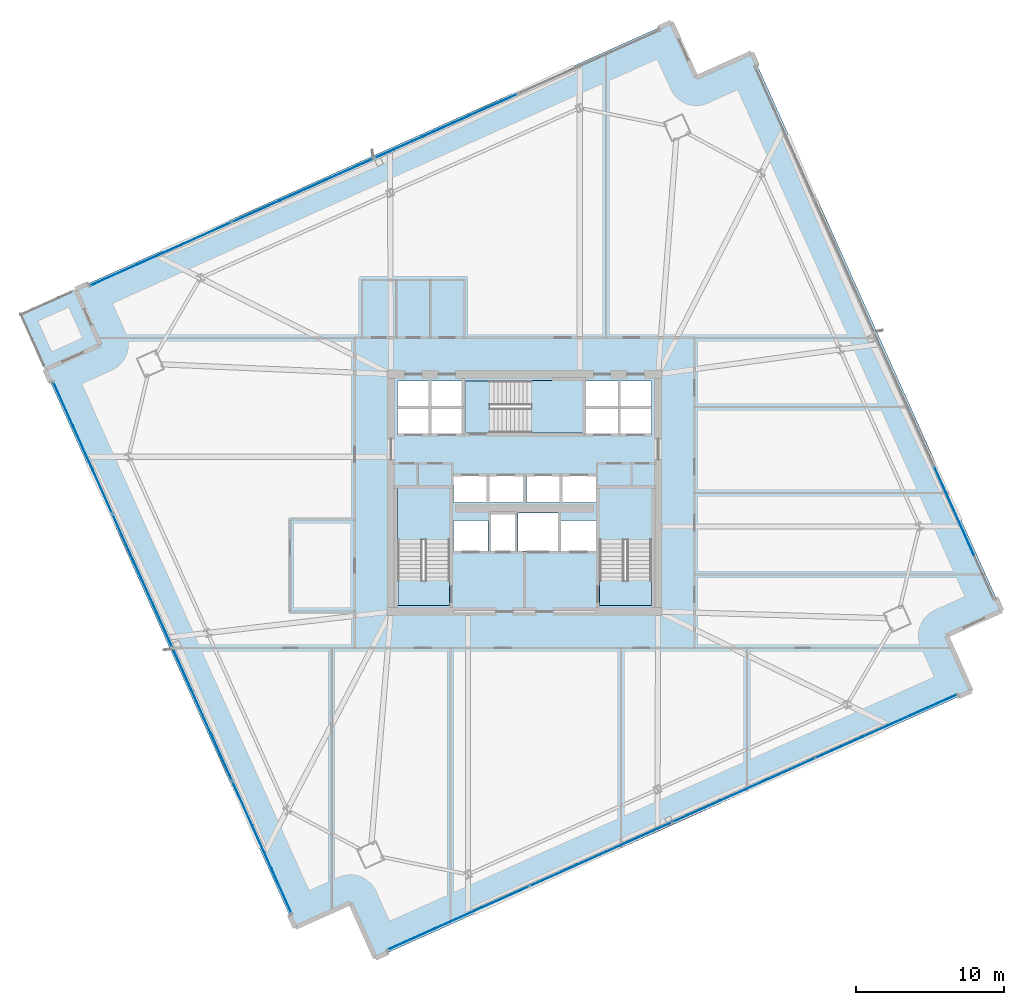
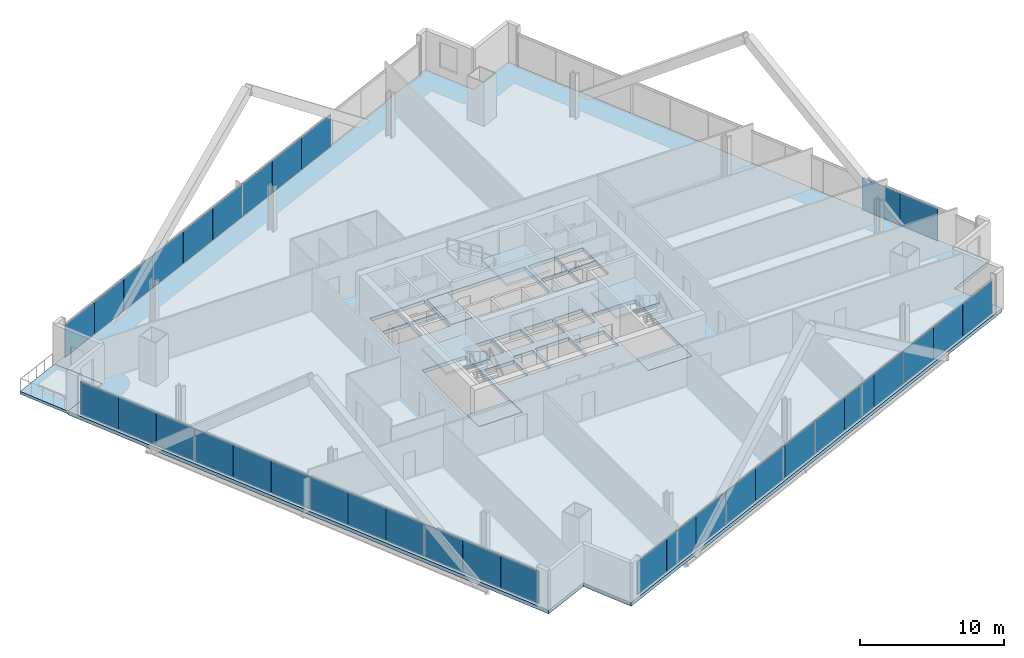
# One storey, part 27 of 38: 35 plates, 8 slabs, 7 elements without a shape of their own.
"""IFC4 building model written with IfcOpenShell, lengths in metres."""

from ifc_helpers import new_model, si_unit, direction, frame, origin, origin_2d, place, context, subcontext, project, spatial, polyline, rectangle, outline, extrude, source, transform, mapped, material, layer, layer_set, type_object, element, aggregate, save


model = new_model("IFC4")

# Units and contexts
model_context = context("Model", 3, precision=1e-05, world=origin(), true_north=direction((0.0, 1.0)))
body_context = subcontext(model_context, "Body", "Model", "MODEL_VIEW")
ifc_project = project(units=[si_unit("LENGTHUNIT", "METRE"), si_unit("AREAUNIT", "SQUARE_METRE"), si_unit("VOLUMEUNIT", "CUBIC_METRE"), si_unit("PLANEANGLEUNIT", "RADIAN"), si_unit("MASSUNIT", "GRAM", prefix="KILO")], contexts=[model_context])

# Site, building, storey
site_placement = place(None, origin())
site = spatial("IfcSite", under=ifc_project, at=site_placement, CompositionType="ELEMENT")
building_placement = place(site_placement, origin())
building = spatial("IfcBuilding", under=site, at=building_placement, Name="Haldenkirk Collegiate Tower", CompositionType="ELEMENT")
storey_placement = place(building_placement, frame((0.0, 0.0, 109.199951171875)))
storey = spatial("IfcBuildingStorey", under=building, at=storey_placement, Name="L26", CompositionType="ELEMENT", Elevation=109.199951171875)

# Slab
ifc_material_1 = material(Name="Concrete f'c 40 MPa", Category="concrete")
ifc_layer_1 = layer(ifc_material_1, 0.300048828125)
ifc_layer_set_1 = layer_set([ifc_layer_1], Name="Concrete f'c 40 MPa")
slab_type_1 = type_object("IfcSlabType", Name="SLB-FLR-300", PredefinedType="FLOOR", material=ifc_layer_set_1)
slab_1_placement = place(storey_placement, frame((0.0, 0.0, -0.300048828125)))
element("IfcSlab", 1, at=slab_1_placement, inside=storey, type_object=slab_type_1, Name="L26 composite structural floor slab", PredefinedType="FLOOR", context=body_context, shape_type="SweptSolid", body=[
    extrude(outline(polyline([(25.94921875, -5.3564453125), (66.09814453125, 12.64501953125), (64.420654296875, 16.38623046875), (68.161865234375, 18.063720703125), (51.305908203125, 55.65771484375), (47.564697265625, 53.980224609375), (45.88720703125, 57.721435546875), (5.73828125, 39.719970703125), (7.415771484375, 35.978759765625), (3.674560546875, 34.30126953125), (20.530517578125, -3.292724609375), (24.271728515625, -1.615234375), (25.94921875, -5.3564453125)]), holes=[polyline([(27.449951171875, 18.39990234375), (30.949951171875, 18.39990234375), (30.949951171875, 26.300048828125), (27.449951171875, 26.300048828125), (27.449951171875, 18.39990234375)]), polyline([(41.050048828125, 18.39990234375), (44.550048828125, 18.39990234375), (44.550048828125, 26.300048828125), (41.050048828125, 26.300048828125), (41.050048828125, 18.39990234375)]), polyline([(32.0, 30.050048828125), (39.89990234375, 30.050048828125), (39.89990234375, 33.550048828125), (32.0, 33.550048828125), (32.0, 30.050048828125)]), polyline([(33.75, 22.10009765625), (35.35009765625, 22.10009765625), (35.35009765625, 24.550048828125), (33.75, 24.550048828125), (33.75, 22.10009765625)]), polyline([(27.449951171875, 29.949951171875), (29.580078125, 29.949951171875), (29.580078125, 31.699951171875), (27.449951171875, 31.699951171875), (27.449951171875, 29.949951171875)]), polyline([(29.679931640625, 29.949951171875), (31.85009765625, 29.949951171875), (31.85009765625, 31.699951171875), (29.679931640625, 31.699951171875), (29.679931640625, 29.949951171875)]), polyline([(27.449951171875, 31.800048828125), (29.580078125, 31.800048828125), (29.580078125, 33.550048828125), (27.449951171875, 33.550048828125), (27.449951171875, 31.800048828125)]), polyline([(29.679931640625, 31.800048828125), (31.85009765625, 31.800048828125), (31.85009765625, 33.550048828125), (29.679931640625, 33.550048828125), (29.679931640625, 31.800048828125)]), polyline([(40.14990234375, 29.949951171875), (42.320068359375, 29.949951171875), (42.320068359375, 31.699951171875), (40.14990234375, 31.699951171875), (40.14990234375, 29.949951171875)]), polyline([(42.419921875, 29.949951171875), (44.550048828125, 29.949951171875), (44.550048828125, 31.699951171875), (42.419921875, 31.699951171875), (42.419921875, 29.949951171875)]), polyline([(40.14990234375, 31.800048828125), (42.320068359375, 31.800048828125), (42.320068359375, 33.550048828125), (40.14990234375, 33.550048828125), (40.14990234375, 31.800048828125)]), polyline([(42.419921875, 31.800048828125), (44.550048828125, 31.800048828125), (44.550048828125, 33.550048828125), (42.419921875, 33.550048828125), (42.419921875, 31.800048828125)]), polyline([(31.199951171875, 25.35009765625), (33.47998046875, 25.35009765625), (33.47998046875, 27.14990234375), (31.199951171875, 27.14990234375), (31.199951171875, 25.35009765625)]), polyline([(33.60009765625, 25.35009765625), (35.8798828125, 25.35009765625), (35.8798828125, 27.14990234375), (33.60009765625, 27.14990234375), (33.60009765625, 25.35009765625)]), polyline([(36.1201171875, 25.35009765625), (38.39990234375, 25.35009765625), (38.39990234375, 27.14990234375), (36.1201171875, 27.14990234375), (36.1201171875, 25.35009765625)]), polyline([(38.52001953125, 25.35009765625), (40.800048828125, 25.35009765625), (40.800048828125, 27.14990234375), (38.52001953125, 27.14990234375), (38.52001953125, 25.35009765625)]), polyline([(31.199951171875, 22.10009765625), (33.550048828125, 22.10009765625), (33.550048828125, 24.14990234375), (31.199951171875, 24.14990234375), (31.199951171875, 22.10009765625)]), polyline([(38.449951171875, 22.10009765625), (40.800048828125, 22.10009765625), (40.800048828125, 24.14990234375), (38.449951171875, 24.14990234375), (38.449951171875, 22.10009765625)]), polyline([(35.550048828125, 22.10009765625), (38.25, 22.10009765625), (38.25, 24.64990234375), (35.550048828125, 24.64990234375), (35.550048828125, 22.10009765625)])]), origin(), (0.0, 0.0, 1.0), 0.300048828125),
])

# Stair, slab
stair_type = type_object("IfcStairType", Name="STR-DOGLEG-1650", PredefinedType="HALF_TURN_STAIR", material=ifc_material_1)
stair_1_placement = place(storey_placement, origin())
stair_1 = element("IfcStair", 2, at=stair_1_placement, inside=storey, type_object=stair_type, Name="L26 Core Exit Stair ST-1", PredefinedType="HALF_TURN_STAIR")
ifc_layer_2 = layer(ifc_material_1, 0.199951171875)
ifc_layer_set_2 = layer_set([ifc_layer_2], Name="Concrete f'c 40 MPa")
slab_type_2 = type_object("IfcSlabType", Name="SLB-LANDING-200", PredefinedType="LANDING", material=ifc_layer_set_2)
slab_2_placement = place(storey_placement, frame((0.0, 0.0, 1.675048828125)))
slab_2 = element("IfcSlab", 3, at=slab_2_placement, type_object=slab_type_2, Name="ST-1 landing 1", PredefinedType="LANDING", context=body_context, shape_type="SweptSolid", body=[
    extrude(outline(polyline([(30.97509765625, 22.824951171875), (27.425048828125, 22.824951171875), (27.425048828125, 26.324951171875), (30.97509765625, 26.324951171875), (30.97509765625, 22.824951171875)])), origin(), (0.0, 0.0, 1.0), 0.199951171875),
])
aggregate(stair_1, [slab_2])

stair_2_placement = place(storey_placement, origin())
stair_2 = element("IfcStair", 4, at=stair_2_placement, inside=storey, type_object=stair_type, Name="L26 Core Exit Stair ST-2", PredefinedType="HALF_TURN_STAIR")
slab_3_placement = place(storey_placement, frame((0.0, 0.0, 1.675048828125)))
slab_3 = element("IfcSlab", 5, at=slab_3_placement, type_object=slab_type_2, Name="ST-2 landing 1", PredefinedType="LANDING", context=body_context, shape_type="SweptSolid", body=[
    extrude(outline(polyline([(44.574951171875, 22.824951171875), (41.02490234375, 22.824951171875), (41.02490234375, 26.324951171875), (44.574951171875, 26.324951171875), (44.574951171875, 22.824951171875)])), origin(), (0.0, 0.0, 1.0), 0.199951171875),
])
aggregate(stair_2, [slab_3])

stair_3_placement = place(storey_placement, origin())
stair_3 = element("IfcStair", 6, at=stair_3_placement, inside=storey, type_object=stair_type, Name="L26 Core Exit Stair ST-3", PredefinedType="HALF_TURN_STAIR")
slab_4_placement = place(storey_placement, frame((0.0, 0.0, 1.675048828125)))
slab_4 = element("IfcSlab", 7, at=slab_4_placement, type_object=slab_type_2, Name="ST-3 landing 1", PredefinedType="LANDING", context=body_context, shape_type="SweptSolid", body=[
    extrude(outline(polyline([(36.425048828125, 30.02490234375), (36.425048828125, 33.574951171875), (39.925048828125, 33.574951171875), (39.925048828125, 30.02490234375), (36.425048828125, 30.02490234375)])), origin(), (0.0, 0.0, 1.0), 0.199951171875),
])
aggregate(stair_3, [slab_4])

# Slabs
ifc_layer_3 = layer(ifc_material_1, 0.25)
ifc_layer_set_3 = layer_set([ifc_layer_3], Name="Concrete f'c 40 MPa")
slab_type_3 = type_object("IfcSlabType", Name="SLB-STAIRLAND-250", PredefinedType="LANDING", material=ifc_layer_set_3)
slab_5_placement = place(storey_placement, frame((0.0, 0.0, -0.25)))
element("IfcSlab", 8, at=slab_5_placement, inside=storey, type_object=slab_type_3, Name="L26 stair ST1 structural floor landing slab", PredefinedType="LANDING", context=body_context, shape_type="SweptSolid", body=[
    extrude(outline(polyline([(27.4599609375, 18.409912109375), (30.93994140625, 18.409912109375), (30.93994140625, 20.080078125), (27.4599609375, 20.080078125), (27.4599609375, 18.409912109375)])), origin(), (0.0, 0.0, 1.0), 0.25),
])
slab_6_placement = place(storey_placement, frame((0.0, 0.0, -0.25)))
element("IfcSlab", 9, at=slab_6_placement, inside=storey, type_object=slab_type_3, Name="L26 stair ST2 structural floor landing slab", PredefinedType="LANDING", context=body_context, shape_type="SweptSolid", body=[
    extrude(outline(polyline([(41.06005859375, 18.409912109375), (44.5400390625, 18.409912109375), (44.5400390625, 20.080078125), (41.06005859375, 20.080078125), (41.06005859375, 18.409912109375)])), origin(), (0.0, 0.0, 1.0), 0.25),
])
slab_7_placement = place(storey_placement, frame((0.0, 0.0, -0.25)))
element("IfcSlab", 10, at=slab_7_placement, inside=storey, type_object=slab_type_3, Name="L26 stair ST3 structural floor landing slab", PredefinedType="LANDING", context=body_context, shape_type="SweptSolid", body=[
    extrude(outline(polyline([(32.010009765625, 30.06005859375), (33.679931640625, 30.06005859375), (33.679931640625, 33.5400390625), (32.010009765625, 33.5400390625), (32.010009765625, 30.06005859375)])), origin(), (0.0, 0.0, 1.0), 0.25),
])
ifc_layer_4 = layer(ifc_material_1, 0.22998046875)
ifc_layer_set_4 = layer_set([ifc_layer_4], Name="Concrete f'c 40 MPa")
slab_type_4 = type_object("IfcSlabType", Name="SLB-TERR-SPIRAL-230", PredefinedType="FLOOR", material=ifc_layer_set_4)
slab_8_placement = place(storey_placement, frame((0.0, 0.0, -0.22998046875)))
element("IfcSlab", 11, at=slab_8_placement, inside=storey, type_object=slab_type_4, Name="L26 spiralling corner terrace slab", PredefinedType="FLOOR", context=body_context, shape_type="SweptSolid", body=[
    extrude(outline(polyline([(3.674560546875, 34.30126953125), (7.415771484375, 35.978759765625), (5.73828125, 39.719970703125), (1.9970703125, 38.04248046875), (3.674560546875, 34.30126953125)])), origin(), (0.0, 0.0, 1.0), 0.22998046875),
])

# Curtain wall, plates
ifc_material_2 = material(Name="Anodised architectural bronze aluminium", Category="aluminium")
curtain_wall_type_1 = type_object("IfcCurtainWallType", Name="CW-SYS2-CONCAVE", PredefinedType="USERDEFINED", material=ifc_material_2)
curtain_wall_1_placement = place(storey_placement, origin())
curtain_wall_1 = element("IfcCurtainWall", 12, at=curtain_wall_1_placement, inside=storey, type_object=curtain_wall_type_1, Name="L26 South concave recessed bronze-anodised curtain wall", ObjectType="UNITISED CURTAIN WALL", PredefinedType="USERDEFINED")
ifc_material_3 = material(Name="Bronze-anodised insulated aluminium spandrel panel", Category="aluminium")
ifc_layer_5 = layer(ifc_material_3, 0.0419921875)
ifc_layer_set_5 = layer_set([ifc_layer_5], Name="Bronze-anodised insulated aluminium spandrel panel")
plate_type_1 = type_object("IfcPlateType", Name="CW-SPD-02", PredefinedType="CURTAIN_PANEL", material=ifc_layer_set_5)
shared_shape_1 = source(origin(), body_context, "Body", "SweptSolid", [
    extrude(rectangle(XDim=3.479248046875, YDim=0.0419921875, at=origin_2d()), origin(), (0.0, 0.0, 1.0), 2.7509765625),
])
plate_1_placement = place(storey_placement, frame((53.955078125, 7.397705078125, 0.074951171875), z_axis=(0.0, 0.0, 1.0), x_axis=(-0.912477296053, -0.409127344707, 0.0)))
plate_1 = element("IfcPlate", 13, at=plate_1_placement, type_object=plate_type_1, Name="CW-02 spandrel panel 2.1a", PredefinedType="CURTAIN_PANEL", context=body_context, shape_type="MappedRepresentation", body=[
    mapped(shared_shape_1, transform((0.0, 0.0, 0.0), x_axis=(1.0, 0.0, 0.0), y_axis=(0.0, 1.0, 0.0), z_axis=(0.0, 0.0, 1.0), scale=1.0)),
])
ifc_material_4 = material(Name="Low-E argon triple insulating glass", Category="glass")
ifc_layer_6 = layer(ifc_material_4, 0.0419921875)
ifc_layer_set_6 = layer_set([ifc_layer_6], Name="Low-E argon triple insulating glass")
plate_type_2 = type_object("IfcPlateType", Name="CW-PNL-02", PredefinedType="CURTAIN_PANEL", material=ifc_layer_set_6)
plate_2_placement = place(storey_placement, frame((47.571533203125, 4.53564453125, 0.074951171875), z_axis=(0.0, 0.0, 1.0), x_axis=(-0.912477296053, -0.409127344707, 0.0)))
plate_2 = element("IfcPlate", 14, at=plate_2_placement, type_object=plate_type_2, Name="CW-02 panel 2.1c", PredefinedType="CURTAIN_PANEL", context=body_context, shape_type="MappedRepresentation", body=[
    mapped(shared_shape_1, transform((0.0, 0.0, 0.0), x_axis=(1.0, 0.0, 0.0), y_axis=(0.0, 1.0, 0.0), z_axis=(0.0, 0.0, 1.0), scale=1.0)),
])
plate_3_placement = place(storey_placement, frame((44.328369140625, 3.081298828125, 0.074951171875), z_axis=(0.0, 0.0, 1.0), x_axis=(-0.912477296053, -0.409127344707, 0.0)))
plate_3 = element("IfcPlate", 15, at=plate_3_placement, type_object=plate_type_2, Name="CW-02 panel 3.1a", PredefinedType="CURTAIN_PANEL", context=body_context, shape_type="MappedRepresentation", body=[
    mapped(shared_shape_1, transform((0.0, 0.0, 0.0), x_axis=(1.0, 0.0, 0.0), y_axis=(0.0, 1.0, 0.0), z_axis=(0.0, 0.0, 1.0), scale=1.0)),
])
plate_4_placement = place(storey_placement, frame((37.94482421875, 0.21923828125, 0.074951171875), z_axis=(0.0, 0.0, 1.0), x_axis=(-0.912477296053, -0.409127344707, 0.0)))
plate_4 = element("IfcPlate", 16, at=plate_4_placement, type_object=plate_type_1, Name="CW-02 spandrel panel 3.1c", PredefinedType="CURTAIN_PANEL", context=body_context, shape_type="MappedRepresentation", body=[
    mapped(shared_shape_1, transform((0.0, 0.0, 0.0), x_axis=(1.0, 0.0, 0.0), y_axis=(0.0, 1.0, 0.0), z_axis=(0.0, 0.0, 1.0), scale=1.0)),
])
shared_shape_2 = source(origin(), body_context, "Body", "SweptSolid", [
    extrude(rectangle(XDim=3.466796875, YDim=0.0419921875, at=origin_2d()), origin(), (0.0, 0.0, 1.0), 2.7509765625),
])
plate_5_placement = place(storey_placement, frame((63.55322265625, 11.701416015625, 0.074951171875), z_axis=(0.0, 0.0, 1.0), x_axis=(-0.912477296053, -0.409127344707, 0.0)))
plate_5 = element("IfcPlate", 17, at=plate_5_placement, type_object=plate_type_2, Name="CW-02 panel 1.1a", PredefinedType="CURTAIN_PANEL", context=body_context, shape_type="MappedRepresentation", body=[
    mapped(shared_shape_2, transform((0.0, 0.0, 0.0), x_axis=(1.0, 0.0, 0.0), y_axis=(0.0, 1.0, 0.0), z_axis=(0.0, 0.0, 1.0), scale=1.0)),
])
plate_6_placement = place(storey_placement, frame((57.1923828125, 8.849365234375, 0.074951171875), z_axis=(0.0, 0.0, 1.0), x_axis=(-0.912477296053, -0.409127344707, 0.0)))
plate_6 = element("IfcPlate", 18, at=plate_6_placement, type_object=plate_type_1, Name="CW-02 spandrel panel 1.1c", PredefinedType="CURTAIN_PANEL", context=body_context, shape_type="MappedRepresentation", body=[
    mapped(shared_shape_2, transform((0.0, 0.0, 0.0), x_axis=(1.0, 0.0, 0.0), y_axis=(0.0, 1.0, 0.0), z_axis=(0.0, 0.0, 1.0), scale=1.0)),
])
plate_7_placement = place(storey_placement, frame((50.76318359375, 5.966796875, 0.074951171875), z_axis=(0.0, 0.0, 1.0), x_axis=(-0.912477296053, -0.409127344707, 0.0)))
plate_7 = element("IfcPlate", 19, at=plate_7_placement, type_object=plate_type_2, Name="CW-02 panel 2.1b", PredefinedType="CURTAIN_PANEL", context=body_context, shape_type="MappedRepresentation", body=[
    mapped(shared_shape_2, transform((0.0, 0.0, 0.0), x_axis=(1.0, 0.0, 0.0), y_axis=(0.0, 1.0, 0.0), z_axis=(0.0, 0.0, 1.0), scale=1.0)),
])
plate_8_placement = place(storey_placement, frame((41.13671875, 1.650390625, 0.074951171875), z_axis=(0.0, 0.0, 1.0), x_axis=(-0.912477296053, -0.409127344707, 0.0)))
plate_8 = element("IfcPlate", 20, at=plate_8_placement, type_object=plate_type_2, Name="CW-02 panel 3.1b", PredefinedType="CURTAIN_PANEL", context=body_context, shape_type="MappedRepresentation", body=[
    mapped(shared_shape_2, transform((0.0, 0.0, 0.0), x_axis=(1.0, 0.0, 0.0), y_axis=(0.0, 1.0, 0.0), z_axis=(0.0, 0.0, 1.0), scale=1.0)),
])
plate_9_placement = place(storey_placement, frame((34.70751953125, -1.232421875, 0.074951171875), z_axis=(0.0, 0.0, 1.0), x_axis=(-0.912477296053, -0.409127344707, 0.0)))
plate_9 = element("IfcPlate", 21, at=plate_9_placement, type_object=plate_type_1, Name="CW-02 spandrel panel 4.1a", PredefinedType="CURTAIN_PANEL", context=body_context, shape_type="MappedRepresentation", body=[
    mapped(shared_shape_2, transform((0.0, 0.0, 0.0), x_axis=(1.0, 0.0, 0.0), y_axis=(0.0, 1.0, 0.0), z_axis=(0.0, 0.0, 1.0), scale=1.0)),
])
plate_10_placement = place(storey_placement, frame((28.3466796875, -4.084228515625, 0.074951171875), z_axis=(0.0, 0.0, 1.0), x_axis=(-0.912477296053, -0.409127344707, 0.0)))
plate_10 = element("IfcPlate", 22, at=plate_10_placement, type_object=plate_type_2, Name="CW-02 panel 4.1c", PredefinedType="CURTAIN_PANEL", context=body_context, shape_type="MappedRepresentation", body=[
    mapped(shared_shape_2, transform((0.0, 0.0, 0.0), x_axis=(1.0, 0.0, 0.0), y_axis=(0.0, 1.0, 0.0), z_axis=(0.0, 0.0, 1.0), scale=1.0)),
])

curtain_wall_type_2 = type_object("IfcCurtainWallType", Name="CW-SYS1-CONVEX-LOW", PredefinedType="USERDEFINED", material=ifc_material_2)
curtain_wall_2_placement = place(storey_placement, origin())
curtain_wall_2 = element("IfcCurtainWall", 23, at=curtain_wall_2_placement, inside=storey, type_object=curtain_wall_type_2, Name="L26 Lower tower convex bronze-framed unitised curtain wall", ObjectType="UNITISED CURTAIN WALL", PredefinedType="USERDEFINED")
ifc_layer_7 = layer(ifc_material_3, 0.0439453125)
ifc_layer_set_7 = layer_set([ifc_layer_7], Name="Bronze-anodised insulated aluminium spandrel panel")
plate_type_3 = type_object("IfcPlateType", Name="CW-SPD-1A", PredefinedType="CURTAIN_PANEL", material=ifc_layer_set_7)
shared_shape_3 = source(origin(), body_context, "Body", "SweptSolid", [
    extrude(rectangle(XDim=3.244140625, YDim=0.0439453125, at=origin_2d()), origin(), (0.0, 0.0, 1.0), 2.740966796875),
])
plate_11_placement = place(storey_placement, frame((15.61669921875, 8.1064453125, 0.080078125), z_axis=(0.0, 0.0, 1.0), x_axis=(-0.409126081669, 0.912477862361, 0.0)))
plate_11 = element("IfcPlate", 24, at=plate_11_placement, type_object=plate_type_3, Name="CW-1A spandrel panel 2.1a", PredefinedType="CURTAIN_PANEL", context=body_context, shape_type="MappedRepresentation", body=[
    mapped(shared_shape_3, transform((0.0, 0.0, 0.0), x_axis=(1.0, 0.0, 0.0), y_axis=(0.0, 1.0, 0.0), z_axis=(0.0, 0.0, 1.0), scale=1.0)),
])
ifc_layer_8 = layer(ifc_material_4, 0.0439453125)
ifc_layer_set_8 = layer_set([ifc_layer_8], Name="Low-E argon triple insulating glass")
plate_type_4 = type_object("IfcPlateType", Name="CW-PNL-1A", PredefinedType="CURTAIN_PANEL", material=ifc_layer_set_8)
plate_12_placement = place(storey_placement, frame((12.94677734375, 14.061279296875, 0.080078125), z_axis=(0.0, 0.0, 1.0), x_axis=(-0.409126081669, 0.912477862361, 0.0)))
plate_12 = element("IfcPlate", 25, at=plate_12_placement, type_object=plate_type_4, Name="CW-1A panel 2.1c", PredefinedType="CURTAIN_PANEL", context=body_context, shape_type="MappedRepresentation", body=[
    mapped(shared_shape_3, transform((0.0, 0.0, 0.0), x_axis=(1.0, 0.0, 0.0), y_axis=(0.0, 1.0, 0.0), z_axis=(0.0, 0.0, 1.0), scale=1.0)),
])
plate_13_placement = place(storey_placement, frame((11.586669921875, 17.094482421875, 0.080078125), z_axis=(0.0, 0.0, 1.0), x_axis=(-0.409126081669, 0.912477862361, 0.0)))
plate_13 = element("IfcPlate", 26, at=plate_13_placement, type_object=plate_type_4, Name="CW-1A panel 3.1a", PredefinedType="CURTAIN_PANEL", context=body_context, shape_type="MappedRepresentation", body=[
    mapped(shared_shape_3, transform((0.0, 0.0, 0.0), x_axis=(1.0, 0.0, 0.0), y_axis=(0.0, 1.0, 0.0), z_axis=(0.0, 0.0, 1.0), scale=1.0)),
])
plate_14_placement = place(storey_placement, frame((8.916748046875, 23.04931640625, 0.080078125), z_axis=(0.0, 0.0, 1.0), x_axis=(-0.409126081669, 0.912477862361, 0.0)))
plate_14 = element("IfcPlate", 27, at=plate_14_placement, type_object=plate_type_3, Name="CW-1A spandrel panel 3.1c", PredefinedType="CURTAIN_PANEL", context=body_context, shape_type="MappedRepresentation", body=[
    mapped(shared_shape_3, transform((0.0, 0.0, 0.0), x_axis=(1.0, 0.0, 0.0), y_axis=(0.0, 1.0, 0.0), z_axis=(0.0, 0.0, 1.0), scale=1.0)),
])
shared_shape_4 = source(origin(), body_context, "Body", "SweptSolid", [
    extrude(rectangle(XDim=3.231689453125, YDim=0.0439453125, at=origin_2d()), origin(), (0.0, 0.0, 1.0), 2.740966796875),
])
plate_15_placement = place(storey_placement, frame((14.281494140625, 11.083984375, 0.080078125), z_axis=(0.0, 0.0, 1.0), x_axis=(-0.409126081669, 0.912477862361, 0.0)))
plate_15 = element("IfcPlate", 28, at=plate_15_placement, type_object=plate_type_4, Name="CW-1A panel 2.1b", PredefinedType="CURTAIN_PANEL", context=body_context, shape_type="MappedRepresentation", body=[
    mapped(shared_shape_4, transform((0.0, 0.0, 0.0), x_axis=(1.0, 0.0, 0.0), y_axis=(0.0, 1.0, 0.0), z_axis=(0.0, 0.0, 1.0), scale=1.0)),
])
plate_16_placement = place(storey_placement, frame((10.251708984375, 20.07177734375, 0.080078125), z_axis=(0.0, 0.0, 1.0), x_axis=(-0.409126081669, 0.912477862361, 0.0)))
plate_16 = element("IfcPlate", 29, at=plate_16_placement, type_object=plate_type_4, Name="CW-1A panel 3.1b", PredefinedType="CURTAIN_PANEL", context=body_context, shape_type="MappedRepresentation", body=[
    mapped(shared_shape_4, transform((0.0, 0.0, 0.0), x_axis=(1.0, 0.0, 0.0), y_axis=(0.0, 1.0, 0.0), z_axis=(0.0, 0.0, 1.0), scale=1.0)),
])

curtain_wall_3_placement = place(storey_placement, origin())
curtain_wall_3 = element("IfcCurtainWall", 30, at=curtain_wall_3_placement, inside=storey, type_object=curtain_wall_type_2, Name="L26 Lower tower convex bronze-framed unitised curtain wall", ObjectType="UNITISED CURTAIN WALL", PredefinedType="USERDEFINED")
shared_shape_5 = source(origin(), body_context, "Body", "SweptSolid", [
    extrude(rectangle(XDim=3.4775390625, YDim=0.0439453125, at=origin_2d()), origin(), (0.0, 0.0, 1.0), 2.740966796875),
])
plate_17_placement = place(storey_placement, frame((17.8828125, 44.968017578125, 0.080078125), z_axis=(0.0, 0.0, 1.0), x_axis=(0.912477296053, 0.409127344707, 0.0)))
plate_17 = element("IfcPlate", 31, at=plate_17_placement, type_object=plate_type_3, Name="CW-1A spandrel panel 2.1a", PredefinedType="CURTAIN_PANEL", context=body_context, shape_type="MappedRepresentation", body=[
    mapped(shared_shape_5, transform((0.0, 0.0, 0.0), x_axis=(1.0, 0.0, 0.0), y_axis=(0.0, 1.0, 0.0), z_axis=(0.0, 0.0, 1.0), scale=1.0)),
])
plate_18_placement = place(storey_placement, frame((24.26318359375, 47.828857421875, 0.080078125), z_axis=(0.0, 0.0, 1.0), x_axis=(0.912477296053, 0.409127344707, 0.0)))
plate_18 = element("IfcPlate", 32, at=plate_18_placement, type_object=plate_type_4, Name="CW-1A panel 2.1c", PredefinedType="CURTAIN_PANEL", context=body_context, shape_type="MappedRepresentation", body=[
    mapped(shared_shape_5, transform((0.0, 0.0, 0.0), x_axis=(1.0, 0.0, 0.0), y_axis=(0.0, 1.0, 0.0), z_axis=(0.0, 0.0, 1.0), scale=1.0)),
])
plate_19_placement = place(storey_placement, frame((27.509521484375, 49.2841796875, 0.080078125), z_axis=(0.0, 0.0, 1.0), x_axis=(0.912477296053, 0.409127344707, 0.0)))
plate_19 = element("IfcPlate", 33, at=plate_19_placement, type_object=plate_type_4, Name="CW-1A panel 3.1a", PredefinedType="CURTAIN_PANEL", context=body_context, shape_type="MappedRepresentation", body=[
    mapped(shared_shape_5, transform((0.0, 0.0, 0.0), x_axis=(1.0, 0.0, 0.0), y_axis=(0.0, 1.0, 0.0), z_axis=(0.0, 0.0, 1.0), scale=1.0)),
])
plate_20_placement = place(storey_placement, frame((33.889892578125, 52.14501953125, 0.080078125), z_axis=(0.0, 0.0, 1.0), x_axis=(0.912477296053, 0.409127344707, 0.0)))
plate_20 = element("IfcPlate", 34, at=plate_20_placement, type_object=plate_type_3, Name="CW-1A spandrel panel 3.1c", PredefinedType="CURTAIN_PANEL", context=body_context, shape_type="MappedRepresentation", body=[
    mapped(shared_shape_5, transform((0.0, 0.0, 0.0), x_axis=(1.0, 0.0, 0.0), y_axis=(0.0, 1.0, 0.0), z_axis=(0.0, 0.0, 1.0), scale=1.0)),
])
shared_shape_6 = source(origin(), body_context, "Body", "SweptSolid", [
    extrude(rectangle(XDim=3.465087890625, YDim=0.0439453125, at=origin_2d()), origin(), (0.0, 0.0, 1.0), 2.740966796875),
])
plate_21_placement = place(storey_placement, frame((21.072998046875, 46.3984375, 0.080078125), z_axis=(0.0, 0.0, 1.0), x_axis=(0.912477296053, 0.409127344707, 0.0)))
plate_21 = element("IfcPlate", 35, at=plate_21_placement, type_object=plate_type_4, Name="CW-1A panel 2.1b", PredefinedType="CURTAIN_PANEL", context=body_context, shape_type="MappedRepresentation", body=[
    mapped(shared_shape_6, transform((0.0, 0.0, 0.0), x_axis=(1.0, 0.0, 0.0), y_axis=(0.0, 1.0, 0.0), z_axis=(0.0, 0.0, 1.0), scale=1.0)),
])
plate_22_placement = place(storey_placement, frame((30.69970703125, 50.714599609375, 0.080078125), z_axis=(0.0, 0.0, 1.0), x_axis=(0.912477296053, 0.409127344707, 0.0)))
plate_22 = element("IfcPlate", 36, at=plate_22_placement, type_object=plate_type_4, Name="CW-1A panel 3.1b", PredefinedType="CURTAIN_PANEL", context=body_context, shape_type="MappedRepresentation", body=[
    mapped(shared_shape_6, transform((0.0, 0.0, 0.0), x_axis=(1.0, 0.0, 0.0), y_axis=(0.0, 1.0, 0.0), z_axis=(0.0, 0.0, 1.0), scale=1.0)),
])

# Plate
shared_shape_7 = source(origin(), body_context, "Body", "SweptSolid", [
    extrude(rectangle(XDim=3.4541015625, YDim=0.0419921875, at=origin_2d()), origin(), (0.0, 0.0, 1.0), 2.7509765625),
])
plate_23_placement = place(storey_placement, frame((60.372802734375, 10.275390625, 0.074951171875), z_axis=(0.0, 0.0, 1.0), x_axis=(-0.912477296053, -0.409127344707, 0.0)))
plate_23 = element("IfcPlate", 37, at=plate_23_placement, type_object=plate_type_1, Name="CW-02 spandrel panel 1.1b", PredefinedType="CURTAIN_PANEL", context=body_context, shape_type="MappedRepresentation", body=[
    mapped(shared_shape_7, transform((0.0, 0.0, 0.0), x_axis=(1.0, 0.0, 0.0), y_axis=(0.0, 1.0, 0.0), z_axis=(0.0, 0.0, 1.0), scale=1.0)),
])

plate_24_placement = place(storey_placement, frame((31.527099609375, -2.658203125, 0.074951171875), z_axis=(0.0, 0.0, 1.0), x_axis=(-0.912477296053, -0.409127344707, 0.0)))
plate_24 = element("IfcPlate", 38, at=plate_24_placement, type_object=plate_type_1, Name="CW-02 spandrel panel 4.1b", PredefinedType="CURTAIN_PANEL", context=body_context, shape_type="MappedRepresentation", body=[
    mapped(shared_shape_7, transform((0.0, 0.0, 0.0), x_axis=(1.0, 0.0, 0.0), y_axis=(0.0, 1.0, 0.0), z_axis=(0.0, 0.0, 1.0), scale=1.0)),
])

aggregate(curtain_wall_1, [plate_5, plate_23, plate_6, plate_1, plate_7, plate_2, plate_3, plate_8, plate_4, plate_9, plate_24, plate_10])

# Curtain wall, plate
curtain_wall_4_placement = place(storey_placement, origin())
curtain_wall_4 = element("IfcCurtainWall", 39, at=curtain_wall_4_placement, inside=storey, type_object=curtain_wall_type_2, Name="L26 Lower tower convex bronze-framed unitised curtain wall", ObjectType="UNITISED CURTAIN WALL", PredefinedType="USERDEFINED")
shared_shape_8 = source(origin(), body_context, "Body", "SweptSolid", [
    extrude(rectangle(XDim=3.230712890625, YDim=0.0439453125, at=origin_2d()), origin(), (0.0, 0.0, 1.0), 2.740966796875),
])
plate_25_placement = place(storey_placement, frame((64.27685546875, 26.288818359375, 0.080078125), z_axis=(0.0, 0.0, 1.0), x_axis=(0.409129142403, -0.912476490018, 0.0)))
plate_25 = element("IfcPlate", 40, at=plate_25_placement, type_object=plate_type_3, Name="CW-1A spandrel panel 4.1a", PredefinedType="CURTAIN_PANEL", context=body_context, shape_type="MappedRepresentation", body=[
    mapped(shared_shape_8, transform((0.0, 0.0, 0.0), x_axis=(1.0, 0.0, 0.0), y_axis=(0.0, 1.0, 0.0), z_axis=(0.0, 0.0, 1.0), scale=1.0)),
])

# Plate
plate_26_placement = place(storey_placement, frame((19.6328125, -0.85107421875, 0.080078125), z_axis=(0.0, 0.0, 1.0), x_axis=(-0.409126081669, 0.912477862361, 0.0)))
plate_26 = element("IfcPlate", 41, at=plate_26_placement, type_object=plate_type_4, Name="CW-1A panel 1.1a", PredefinedType="CURTAIN_PANEL", context=body_context, shape_type="MappedRepresentation", body=[
    mapped(shared_shape_8, transform((0.0, 0.0, 0.0), x_axis=(1.0, 0.0, 0.0), y_axis=(0.0, 1.0, 0.0), z_axis=(0.0, 0.0, 1.0), scale=1.0)),
])

plate_27_placement = place(storey_placement, frame((16.973876953125, 5.079345703125, 0.080078125), z_axis=(0.0, 0.0, 1.0), x_axis=(-0.409126081669, 0.912477862361, 0.0)))
plate_27 = element("IfcPlate", 42, at=plate_27_placement, type_object=plate_type_3, Name="CW-1A spandrel panel 1.1c", PredefinedType="CURTAIN_PANEL", context=body_context, shape_type="MappedRepresentation", body=[
    mapped(shared_shape_8, transform((0.0, 0.0, 0.0), x_axis=(1.0, 0.0, 0.0), y_axis=(0.0, 1.0, 0.0), z_axis=(0.0, 0.0, 1.0), scale=1.0)),
])

plate_28_placement = place(storey_placement, frame((7.5595703125, 26.076416015625, 0.080078125), z_axis=(0.0, 0.0, 1.0), x_axis=(-0.409126081669, 0.912477862361, 0.0)))
plate_28 = element("IfcPlate", 43, at=plate_28_placement, type_object=plate_type_3, Name="CW-1A spandrel panel 4.1a", PredefinedType="CURTAIN_PANEL", context=body_context, shape_type="MappedRepresentation", body=[
    mapped(shared_shape_8, transform((0.0, 0.0, 0.0), x_axis=(1.0, 0.0, 0.0), y_axis=(0.0, 1.0, 0.0), z_axis=(0.0, 0.0, 1.0), scale=1.0)),
])

plate_29_placement = place(storey_placement, frame((4.900390625, 32.006591796875, 0.080078125), z_axis=(0.0, 0.0, 1.0), x_axis=(-0.409126081669, 0.912477862361, 0.0)))
plate_29 = element("IfcPlate", 44, at=plate_29_placement, type_object=plate_type_4, Name="CW-1A panel 4.1c", PredefinedType="CURTAIN_PANEL", context=body_context, shape_type="MappedRepresentation", body=[
    mapped(shared_shape_8, transform((0.0, 0.0, 0.0), x_axis=(1.0, 0.0, 0.0), y_axis=(0.0, 1.0, 0.0), z_axis=(0.0, 0.0, 1.0), scale=1.0)),
])

shared_shape_9 = source(origin(), body_context, "Body", "SweptSolid", [
    extrude(rectangle(XDim=3.21826171875, YDim=0.0439453125, at=origin_2d()), origin(), (0.0, 0.0, 1.0), 2.740966796875),
])
plate_30_placement = place(storey_placement, frame((65.6064453125, 23.323486328125, 0.080078125), z_axis=(0.0, 0.0, 1.0), x_axis=(0.409129142403, -0.912476490018, 0.0)))
plate_30 = element("IfcPlate", 45, at=plate_30_placement, type_object=plate_type_3, Name="CW-1A spandrel panel 4.1b", PredefinedType="CURTAIN_PANEL", context=body_context, shape_type="MappedRepresentation", body=[
    mapped(shared_shape_9, transform((0.0, 0.0, 0.0), x_axis=(1.0, 0.0, 0.0), y_axis=(0.0, 1.0, 0.0), z_axis=(0.0, 0.0, 1.0), scale=1.0)),
])

aggregate(curtain_wall_4, [plate_25, plate_30])

plate_31_placement = place(storey_placement, frame((18.303466796875, 2.1142578125, 0.080078125), z_axis=(0.0, 0.0, 1.0), x_axis=(-0.409126081669, 0.912477862361, 0.0)))
plate_31 = element("IfcPlate", 46, at=plate_31_placement, type_object=plate_type_3, Name="CW-1A spandrel panel 1.1b", PredefinedType="CURTAIN_PANEL", context=body_context, shape_type="MappedRepresentation", body=[
    mapped(shared_shape_9, transform((0.0, 0.0, 0.0), x_axis=(1.0, 0.0, 0.0), y_axis=(0.0, 1.0, 0.0), z_axis=(0.0, 0.0, 1.0), scale=1.0)),
])

plate_32_placement = place(storey_placement, frame((6.22998046875, 29.04150390625, 0.080078125), z_axis=(0.0, 0.0, 1.0), x_axis=(-0.409126081669, 0.912477862361, 0.0)))
plate_32 = element("IfcPlate", 47, at=plate_32_placement, type_object=plate_type_3, Name="CW-1A spandrel panel 4.1b", PredefinedType="CURTAIN_PANEL", context=body_context, shape_type="MappedRepresentation", body=[
    mapped(shared_shape_9, transform((0.0, 0.0, 0.0), x_axis=(1.0, 0.0, 0.0), y_axis=(0.0, 1.0, 0.0), z_axis=(0.0, 0.0, 1.0), scale=1.0)),
])

aggregate(curtain_wall_2, [plate_26, plate_31, plate_27, plate_11, plate_15, plate_12, plate_13, plate_16, plate_14, plate_28, plate_32, plate_29])

shared_shape_10 = source(origin(), body_context, "Body", "SweptSolid", [
    extrude(rectangle(XDim=3.464111328125, YDim=0.0439453125, at=origin_2d()), origin(), (0.0, 0.0, 1.0), 2.740966796875),
])
plate_33_placement = place(storey_placement, frame((8.28662109375, 40.665283203125, 0.080078125), z_axis=(0.0, 0.0, 1.0), x_axis=(0.912477296053, 0.409127344707, 0.0)))
plate_33 = element("IfcPlate", 48, at=plate_33_placement, type_object=plate_type_4, Name="CW-1A panel 1.1a", PredefinedType="CURTAIN_PANEL", context=body_context, shape_type="MappedRepresentation", body=[
    mapped(shared_shape_10, transform((0.0, 0.0, 0.0), x_axis=(1.0, 0.0, 0.0), y_axis=(0.0, 1.0, 0.0), z_axis=(0.0, 0.0, 1.0), scale=1.0)),
])

plate_34_placement = place(storey_placement, frame((14.642578125, 43.51513671875, 0.080078125), z_axis=(0.0, 0.0, 1.0), x_axis=(0.912477296053, 0.409127344707, 0.0)))
plate_34 = element("IfcPlate", 49, at=plate_34_placement, type_object=plate_type_3, Name="CW-1A spandrel panel 1.1c", PredefinedType="CURTAIN_PANEL", context=body_context, shape_type="MappedRepresentation", body=[
    mapped(shared_shape_10, transform((0.0, 0.0, 0.0), x_axis=(1.0, 0.0, 0.0), y_axis=(0.0, 1.0, 0.0), z_axis=(0.0, 0.0, 1.0), scale=1.0)),
])

shared_shape_11 = source(origin(), body_context, "Body", "SweptSolid", [
    extrude(rectangle(XDim=3.45166015625, YDim=0.0439453125, at=origin_2d()), origin(), (0.0, 0.0, 1.0), 2.740966796875),
])
plate_35_placement = place(storey_placement, frame((11.464599609375, 42.090087890625, 0.080078125), z_axis=(0.0, 0.0, 1.0), x_axis=(0.912477296053, 0.409127344707, 0.0)))
plate_35 = element("IfcPlate", 50, at=plate_35_placement, type_object=plate_type_3, Name="CW-1A spandrel panel 1.1b", PredefinedType="CURTAIN_PANEL", context=body_context, shape_type="MappedRepresentation", body=[
    mapped(shared_shape_11, transform((0.0, 0.0, 0.0), x_axis=(1.0, 0.0, 0.0), y_axis=(0.0, 1.0, 0.0), z_axis=(0.0, 0.0, 1.0), scale=1.0)),
])

aggregate(curtain_wall_3, [plate_33, plate_35, plate_34, plate_17, plate_21, plate_18, plate_19, plate_22, plate_20])

save(model, "model.ifc")
